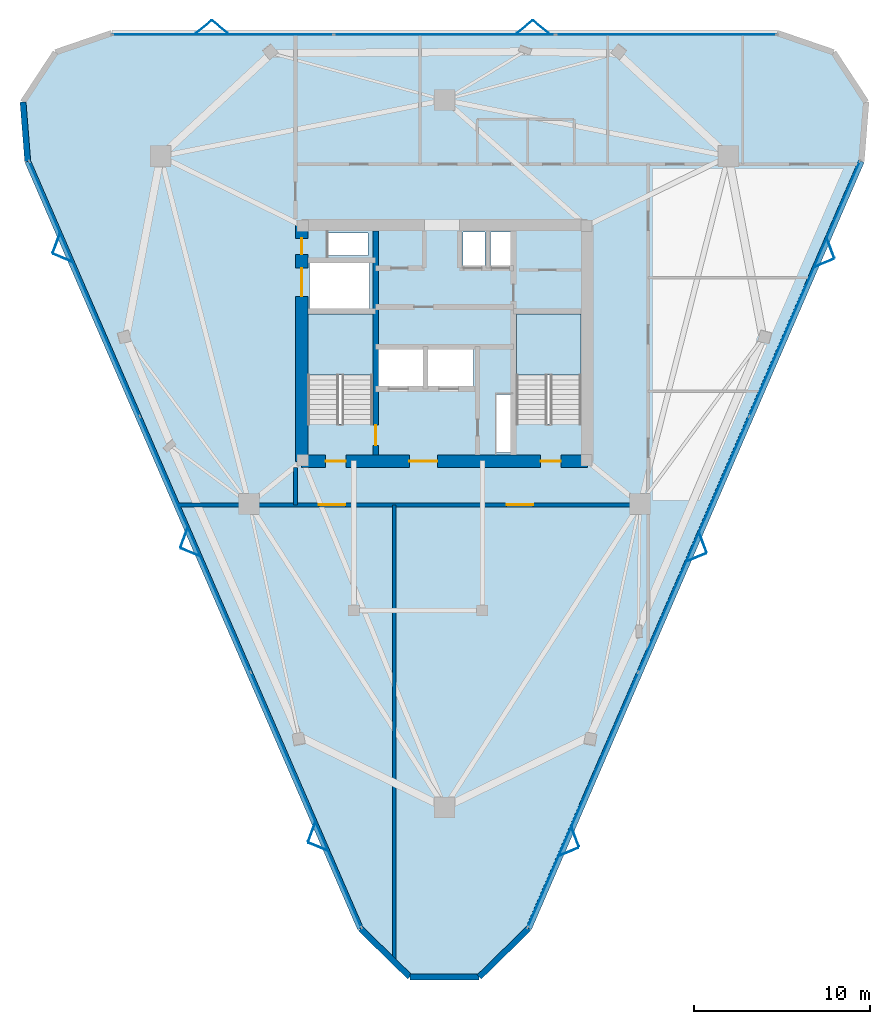
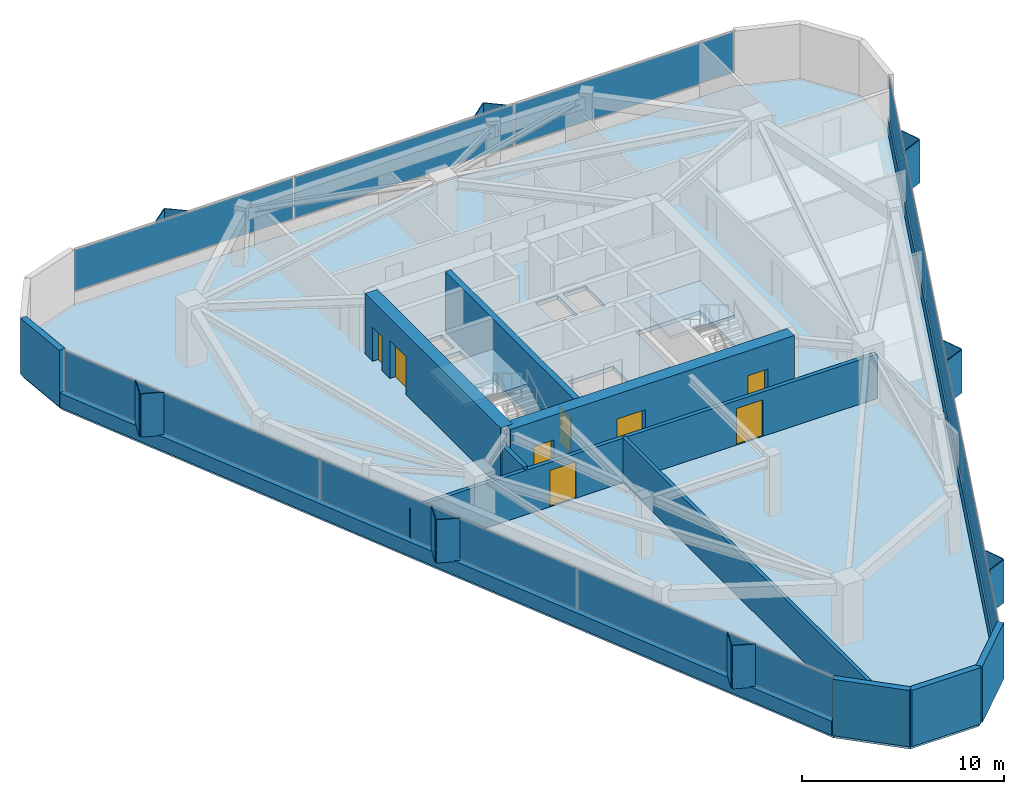
# One storey, part 8 of 11: 25 plates, 12 walls, 8 doors, 3 slabs, 8 openings, 5 elements without a shape of their own.
"""IFC4 building model written with IfcOpenShell, lengths in metres."""

from ifc_helpers import new_model, si_unit, direction, frame, frame_2d, origin, origin_2d, place, context, subcontext, project, spatial, polyline, rectangle, outline, extrude, material, layer, layer_set, type_object, element, fill, aggregate, save


model = new_model("IFC4")

# Units and contexts
model_context = context("Model", 3, precision=1e-05, world=origin(), true_north=direction((0.0, 1.0)))
body_context = subcontext(model_context, "Body", "Model", "MODEL_VIEW")
ifc_project = project(units=[si_unit("LENGTHUNIT", "METRE"), si_unit("AREAUNIT", "SQUARE_METRE"), si_unit("VOLUMEUNIT", "CUBIC_METRE"), si_unit("PLANEANGLEUNIT", "RADIAN"), si_unit("MASSUNIT", "GRAM", prefix="KILO")], contexts=[model_context])

# Site, building, storey
site_placement = place(None, origin())
site = spatial("IfcSite", under=ifc_project, at=site_placement, CompositionType="ELEMENT")
building_placement = place(site_placement, origin())
building = spatial("IfcBuilding", under=site, at=building_placement, Name="Talyreon Biosciences Tower", CompositionType="ELEMENT")
storey_placement = place(building_placement, frame((0.0, 0.0, 235.25)))
storey = spatial("IfcBuildingStorey", under=building, at=storey_placement, Name="L62", CompositionType="ELEMENT", Elevation=235.25)

# Curtain wall, plates
ifc_material_1 = material(Name="Thermally broken aluminium and low-E glazing", Category="aluminium")
ifc_layer_1 = layer(ifc_material_1, 0.175048828125)
ifc_layer_set_1 = layer_set([ifc_layer_1], Name="Thermally broken aluminium and low-E glazing")
curtain_wall_type = type_object("IfcCurtainWallType", Name="CurtainWall_Zone5CompLab", PredefinedType="NOTDEFINED", material=ifc_layer_set_1)
curtain_wall_1_placement = place(storey_placement, origin())
curtain_wall_1 = element("IfcCurtainWall", 1, at=curtain_wall_1_placement, inside=storey, type_object=curtain_wall_type, Name="L62 Unitised Curtain Wall FCW-L62-00", PredefinedType="NOTDEFINED")
ifc_material_2 = material(Name="Triple-silver low-E insulated glazing", Category="glass")
ifc_layer_2 = layer(ifc_material_2, 0.031982421875)
ifc_layer_set_2 = layer_set([ifc_layer_2], Name="Triple-silver low-E insulated glazing")
plate_type_1 = type_object("IfcPlateType", Name="CWGlazingPanel_32", PredefinedType="CURTAIN_PANEL", material=ifc_layer_set_2)
plate_1_placement = place(storey_placement, frame((58.1513671875, 42.10009765625, 0.875), z_axis=(0.0, 0.0, 1.0), x_axis=(-0.397832088162, 0.917458244079, 0.0)))
plate_1 = element("IfcPlate", 2, at=plate_1_placement, type_object=plate_type_1, Name="CW6 panel 1.1", PredefinedType="CURTAIN_PANEL", context=body_context, shape_type="SweptSolid", body=[
    extrude(rectangle(XDim=15.71240234375, YDim=0.031982421875, at=origin_2d()), origin(), (0.0, 0.0, 1.0), 2.4599609375),
])
plate_2_placement = place(storey_placement, frame((51.867919921875, 56.59033203125, 0.875), z_axis=(0.0, 0.0, 1.0), x_axis=(-0.397832088162, 0.917458244079, 0.0)))
plate_2 = element("IfcPlate", 3, at=plate_2_placement, type_object=plate_type_1, Name="CW6 panel 2.1", PredefinedType="CURTAIN_PANEL", context=body_context, shape_type="SweptSolid", body=[
    extrude(rectangle(XDim=15.7451171875, YDim=0.031982421875, at=origin_2d()), origin(), (0.0, 0.0, 1.0), 2.4599609375),
])
plate_3_placement = place(storey_placement, frame((45.584716796875, 71.080322265625, 0.875), z_axis=(0.0, 0.0, 1.0), x_axis=(-0.397832088162, 0.917458244079, 0.0)))
plate_3 = element("IfcPlate", 4, at=plate_3_placement, type_object=plate_type_1, Name="CW6 panel 3.1", PredefinedType="CURTAIN_PANEL", context=body_context, shape_type="SweptSolid", body=[
    extrude(rectangle(XDim=15.71240234375, YDim=0.031982421875, at=origin_2d()), origin(), (0.0, 0.0, 1.0), 2.4599609375),
])
aggregate(curtain_wall_1, [plate_1, plate_2, plate_3])

curtain_wall_2_placement = place(storey_placement, origin())
curtain_wall_2 = element("IfcCurtainWall", 5, at=curtain_wall_2_placement, inside=storey, type_object=curtain_wall_type, Name="L62 Unitised Curtain Wall FCW-L62-04", PredefinedType="NOTDEFINED")
plate_4_placement = place(storey_placement, frame((53.436767578125, 85.504638671875, 0.875), z_axis=(0.0, 0.0, 1.0), x_axis=(1.0, 0.0, 0.0)))
plate_4 = element("IfcPlate", 6, at=plate_4_placement, type_object=plate_type_1, Name="CW6 panel 1.1", PredefinedType="CURTAIN_PANEL", context=body_context, shape_type="SweptSolid", body=[
    extrude(rectangle(XDim=12.48193359375, YDim=0.031982421875, at=origin_2d()), origin(), (0.0, 0.0, 1.0), 2.4599609375),
])
plate_5_placement = place(storey_placement, frame((66.0, 85.504638671875, 0.875), z_axis=(0.0, 0.0, 1.0), x_axis=(1.0, 0.0, 0.0)))
plate_5 = element("IfcPlate", 7, at=plate_5_placement, type_object=plate_type_1, Name="CW6 panel 2.1", PredefinedType="CURTAIN_PANEL", context=body_context, shape_type="SweptSolid", body=[
    extrude(rectangle(XDim=12.514404296875, YDim=0.031982421875, at=origin_2d()), origin(), (0.0, 0.0, 1.0), 2.4599609375),
])
plate_6_placement = place(storey_placement, frame((78.563232421875, 85.504638671875, 0.875), z_axis=(0.0, 0.0, 1.0), x_axis=(1.0, 0.0, 0.0)))
plate_6 = element("IfcPlate", 8, at=plate_6_placement, type_object=plate_type_1, Name="CW6 panel 3.1", PredefinedType="CURTAIN_PANEL", context=body_context, shape_type="SweptSolid", body=[
    extrude(rectangle(XDim=12.48193359375, YDim=0.031982421875, at=origin_2d()), origin(), (0.0, 0.0, 1.0), 2.4599609375),
])
aggregate(curtain_wall_2, [plate_4, plate_5, plate_6])

curtain_wall_3_placement = place(storey_placement, origin())
curtain_wall_3 = element("IfcCurtainWall", 9, at=curtain_wall_3_placement, inside=storey, type_object=curtain_wall_type, Name="L62 Unitised Curtain Wall FCW-L62-08", PredefinedType="NOTDEFINED")
plate_7_placement = place(storey_placement, frame((86.415283203125, 71.080322265625, 0.875), z_axis=(0.0, 0.0, 1.0), x_axis=(-0.397832088162, -0.917458244079, 0.0)))
plate_7 = element("IfcPlate", 10, at=plate_7_placement, type_object=plate_type_1, Name="CW6 panel 1.1", PredefinedType="CURTAIN_PANEL", context=body_context, shape_type="SweptSolid", body=[
    extrude(rectangle(XDim=15.71240234375, YDim=0.031982421875, at=origin_2d()), origin(), (0.0, 0.0, 1.0), 2.4599609375),
])
plate_8_placement = place(storey_placement, frame((80.132080078125, 56.59033203125, 0.875), z_axis=(0.0, 0.0, 1.0), x_axis=(-0.397832088162, -0.917458244079, 0.0)))
plate_8 = element("IfcPlate", 11, at=plate_8_placement, type_object=plate_type_1, Name="CW6 panel 2.1", PredefinedType="CURTAIN_PANEL", context=body_context, shape_type="SweptSolid", body=[
    extrude(rectangle(XDim=15.7451171875, YDim=0.031982421875, at=origin_2d()), origin(), (0.0, 0.0, 1.0), 2.4599609375),
])
plate_9_placement = place(storey_placement, frame((73.8486328125, 42.10009765625, 0.875), z_axis=(0.0, 0.0, 1.0), x_axis=(-0.397832088162, -0.917458244079, 0.0)))
plate_9 = element("IfcPlate", 12, at=plate_9_placement, type_object=plate_type_1, Name="CW6 panel 3.1", PredefinedType="CURTAIN_PANEL", context=body_context, shape_type="SweptSolid", body=[
    extrude(rectangle(XDim=15.71240234375, YDim=0.031982421875, at=origin_2d()), origin(), (0.0, 0.0, 1.0), 2.4599609375),
])
aggregate(curtain_wall_3, [plate_7, plate_8, plate_9])

# Slab
ifc_material_3 = material(Name="Concrete C40/50", Category="concrete")
ifc_layer_3 = layer(ifc_material_3, 0.25)
ifc_layer_set_3 = layer_set([ifc_layer_3], Name="Concrete C40/50")
slab_type_1 = type_object("IfcSlabType", Name="DryLabFloorSlab_250", PredefinedType="FLOOR", material=ifc_layer_set_3)
slab_1_placement = place(storey_placement, frame((0.0, 0.0, -0.25)))
element("IfcSlab", 13, at=slab_1_placement, inside=storey, type_object=slab_type_1, Name="L62 Structural Floor Slab", PredefinedType="FLOOR", context=body_context, shape_type="SweptSolid", body=[
    extrude(outline(polyline([(61.229248046875, 34.80078125), (42.360107421875, 78.31591796875), (42.093505859375, 81.67529296875), (43.942626953125, 84.49267578125), (47.130615234375, 85.584716796875), (84.869140625, 85.584716796875), (88.057373046875, 84.49267578125), (89.906494140625, 81.67529296875), (89.639892578125, 78.31591796875), (70.770751953125, 34.80078125), (67.963623046875, 32.0546875), (64.036376953125, 32.0546875), (61.229248046875, 34.80078125)]), holes=[polyline([(69.820068359375, 65.10009765625), (69.820068359375, 61.800048828125), (68.9599609375, 61.800048828125), (68.9599609375, 65.10009765625), (69.820068359375, 65.10009765625)]), polyline([(61.929931640625, 69.64990234375), (61.929931640625, 63.407958984375), (58.25, 63.407958984375), (58.25, 69.64990234375), (61.929931640625, 69.64990234375)]), polyline([(73.75, 69.64990234375), (73.75, 63.407958984375), (70.070068359375, 63.407958984375), (70.070068359375, 69.64990234375), (73.75, 69.64990234375)]), polyline([(64.800048828125, 67.64990234375), (64.800048828125, 65.550048828125), (62.199951171875, 65.550048828125), (62.199951171875, 67.64990234375), (64.800048828125, 67.64990234375)]), polyline([(67.64990234375, 67.64990234375), (67.64990234375, 65.550048828125), (65.050048828125, 65.550048828125), (65.050048828125, 67.64990234375), (67.64990234375, 67.64990234375)]), polyline([(61.75, 72.550048828125), (61.75, 69.97998046875), (58.35009765625, 69.97998046875), (58.35009765625, 72.550048828125), (61.75, 72.550048828125)]), polyline([(68.300048828125, 74.300048828125), (68.300048828125, 72.35009765625), (67.050048828125, 72.35009765625), (67.050048828125, 74.300048828125), (68.300048828125, 74.300048828125)]), polyline([(69.919921875, 72.35009765625), (68.6201171875, 72.35009765625), (68.6201171875, 74.300048828125), (69.919921875, 74.300048828125), (69.919921875, 72.35009765625)]), polyline([(61.64990234375, 72.9599609375), (59.39990234375, 72.9599609375), (59.39990234375, 74.25), (61.64990234375, 74.25), (61.64990234375, 72.9599609375)])]), origin(), (0.0, 0.0, 1.0), 0.25),
])

# Plates
ifc_material_4 = material(Name="Ivory GFRC sunshade panel", Category="concrete")
ifc_layer_4 = layer(ifc_material_4, 0.044921875)
ifc_layer_set_4 = layer_set([ifc_layer_4], Name="Ivory GFRC sunshade panel")
plate_type_2 = type_object("IfcPlateType", Name="FoldedVSunshade_NorthFace_SUNSHADE", PredefinedType="USERDEFINED", material=ifc_layer_set_4)
for number, where, z_axis, x_axis, name in (
    (14, (52.3505859375, 85.944580078125, 0.7900390625), (0.0, 0.0, 1.0), (0.771624583388, 0.636078220278, 0.0), "L62 Folded V-Sunshade Panel 04.01L"),
    (15, (53.250732421875, 85.944580078125, 0.7900390625), (0.0, 0.0, 1.0), (0.771624583388, -0.636078220278, 0.0), "L62 Folded V-Sunshade Panel 04.01R"),
    (16, (70.55078125, 85.944580078125, 0.7900390625), (0.0, 0.0, 1.0), (0.771624583388, 0.636078220278, 0.0), "L62 Folded V-Sunshade Panel 04.02L"),
    (17, (71.45068359375, 85.944580078125, 0.7900390625), (0.0, 0.0, 1.0), (0.771624583388, -0.636078220278, 0.0), "L62 Folded V-Sunshade Panel 04.02R"),
):
    element("IfcPlate", number, at=place(storey_placement, frame(where, z_axis=z_axis, x_axis=x_axis)), inside=storey, type_object=plate_type_2, Name=name, ObjectType="SUNSHADE", PredefinedType="USERDEFINED", context=body_context, shape_type="SweptSolid", body=[
        extrude(rectangle(XDim=1.14990234375, YDim=0.044921875, at=origin_2d()), origin(), (0.0, 0.0, 1.0), 2.610107421875),
    ])
ifc_layer_5 = layer(ifc_material_4, 0.044921875)
ifc_layer_set_5 = layer_set([ifc_layer_5], Name="Ivory GFRC sunshade panel")
plate_type_3 = type_object("IfcPlateType", Name="FoldedVSunshade_SunFace_SUNSHADE", PredefinedType="USERDEFINED", material=ifc_layer_set_5)
for number, where, z_axis, x_axis, name in (
    (18, (58.822265625, 39.44677734375, 0.7900390625), (0.0, 0.0, 1.0), (-0.923498367496, 0.383602353007, 0.0), "L62 Folded V-Sunshade Panel 00.01L"),
    (19, (58.464111328125, 40.2724609375, 0.7900390625), (0.0, 0.0, 1.0), (0.351139044587, 0.936323326296, 0.0), "L62 Folded V-Sunshade Panel 00.01R"),
    (20, (51.581787109375, 56.14453125, 0.7900390625), (0.0, 0.0, 1.0), (-0.923498367496, 0.383602353007, 0.0), "L62 Folded V-Sunshade Panel 00.02L"),
    (21, (51.2236328125, 56.97021484375, 0.7900390625), (0.0, 0.0, 1.0), (0.351139044587, 0.936323326296, 0.0), "L62 Folded V-Sunshade Panel 00.02R"),
    (22, (44.341064453125, 72.84228515625, 0.7900390625), (0.0, 0.0, 1.0), (-0.923498367496, 0.383602353007, 0.0), "L62 Folded V-Sunshade Panel 00.03L"),
    (23, (43.983154296875, 73.66796875, 0.7900390625), (0.0, 0.0, 1.0), (0.351139044587, 0.936323326296, 0.0), "L62 Folded V-Sunshade Panel 00.03R"),
    (24, (87.8935546875, 73.383544921875, 0.7900390625), (0.0, 0.0, 1.0), (0.351139044587, -0.936323326296, 0.0), "L62 Folded V-Sunshade Panel 08.01L"),
    (25, (87.53564453125, 72.557861328125, 0.7900390625), (0.0, 0.0, 1.0), (-0.923498367496, -0.383602353007, 0.0), "L62 Folded V-Sunshade Panel 08.01R"),
    (26, (80.653076171875, 56.685791015625, 0.7900390625), (0.0, 0.0, 1.0), (0.351139044587, -0.936323326296, 0.0), "L62 Folded V-Sunshade Panel 08.02L"),
    (27, (80.294921875, 55.860107421875, 0.7900390625), (0.0, 0.0, 1.0), (-0.923498367496, -0.383602353007, 0.0), "L62 Folded V-Sunshade Panel 08.02R"),
    (28, (73.41259765625, 39.98828125, 0.7900390625), (0.0, 0.0, 1.0), (0.351139044587, -0.936323326296, 0.0), "L62 Folded V-Sunshade Panel 08.03L"),
    (29, (73.054443359375, 39.16259765625, 0.7900390625), (0.0, 0.0, 1.0), (-0.923498367496, -0.383602353007, 0.0), "L62 Folded V-Sunshade Panel 08.03R"),
):
    element("IfcPlate", number, at=place(storey_placement, frame(where, z_axis=z_axis, x_axis=x_axis)), inside=storey, type_object=plate_type_3, Name=name, ObjectType="SUNSHADE", PredefinedType="USERDEFINED", context=body_context, shape_type="SweptSolid", body=[
        extrude(rectangle(XDim=1.14990234375, YDim=0.044921875, at=origin_2d()), origin(), (0.0, 0.0, 1.0), 2.610107421875),
    ])

# Stair, slab
stair_type = type_object("IfcStairType", Name="DoglegEscapeStair_3650", PredefinedType="HALF_TURN_STAIR", material=ifc_material_3)
stair_1_placement = place(storey_placement, origin())
stair_1 = element("IfcStair", 30, at=stair_1_placement, inside=storey, type_object=stair_type, Name="L62 Core Escape Stair 1", PredefinedType="HALF_TURN_STAIR")
ifc_layer_6 = layer(ifc_material_3, 0.199951171875)
ifc_layer_set_6 = layer_set([ifc_layer_6], Name="Concrete C40/50")
slab_type_2 = type_object("IfcSlabType", Name="StairLandingSlab_200", PredefinedType="LANDING", material=ifc_layer_set_6)
slab_2_placement = place(storey_placement, frame((0.0, 0.0, 1.625)))
slab_2 = element("IfcSlab", 31, at=slab_2_placement, type_object=slab_type_2, Name="ST-1 landing 1", PredefinedType="LANDING", context=body_context, shape_type="SweptSolid", body=[
    extrude(outline(polyline([(61.929931640625, 66.199951171875), (61.929931640625, 69.64990234375), (58.25, 69.64990234375), (58.25, 66.199951171875), (61.929931640625, 66.199951171875)])), origin(), (0.0, 0.0, 1.0), 0.199951171875),
])
aggregate(stair_1, [slab_2])

stair_2_placement = place(storey_placement, origin())
stair_2 = element("IfcStair", 32, at=stair_2_placement, inside=storey, type_object=stair_type, Name="L62 Core Escape Stair 2", PredefinedType="HALF_TURN_STAIR")
slab_3_placement = place(storey_placement, frame((0.0, 0.0, 1.625)))
slab_3 = element("IfcSlab", 33, at=slab_3_placement, type_object=slab_type_2, Name="ST-2 landing 1", PredefinedType="LANDING", context=body_context, shape_type="SweptSolid", body=[
    extrude(outline(polyline([(73.75, 66.199951171875), (73.75, 69.64990234375), (70.070068359375, 69.64990234375), (70.070068359375, 66.199951171875), (73.75, 66.199951171875)])), origin(), (0.0, 0.0, 1.0), 0.199951171875),
])
aggregate(stair_2, [slab_3])

# Wall
ifc_material_5 = material(Name="Gypsum fireboard acoustic stud", Category="gypsum")
ifc_layer_7 = layer(ifc_material_5, 0.199951171875)
ifc_layer_set_7 = layer_set([ifc_layer_7], Name="Gypsum fireboard acoustic stud")
wall_type_1 = type_object("IfcWallType", Name="ChemControlPartition_200", PredefinedType="PARTITIONING", material=ifc_layer_set_7)
wall_1_placement = place(storey_placement, frame((63.156005859375, 33.034912109375, 0.0), z_axis=(0.0, 0.0, 1.0), x_axis=(0.0, 1.0, 0.0)))
element("IfcWall", 34, at=wall_1_placement, inside=storey, type_object=wall_type_1, Name="L62 Interior Wall IW-L62-SDIV1", PredefinedType="PARTITIONING", context=body_context, shape_type="SweptSolid", body=[
    extrude(rectangle(XDim=25.795166015625, YDim=0.199951171875, at=frame_2d((12.8974609375, 0.0))), origin(), (0.0, 0.0, 1.0), 2.679931640625),
])

# Wall, opening, door
ifc_material_6 = material(Name="Concrete C50/60", Category="concrete")
ifc_layer_8 = layer(ifc_material_6, 0.320068359375)
ifc_layer_set_8 = layer_set([ifc_layer_8], Name="Concrete C50/60")
wall_type_2 = type_object("IfcWallType", Name="CoreShearWall_320", PredefinedType="SHEAR", material=ifc_layer_set_8)
wall_2_placement = place(storey_placement, frame((62.090087890625, 61.64990234375, 0.0), z_axis=(0.0, 0.0, 1.0), x_axis=(0.0, 1.0, 0.0)))
wall_2 = element("IfcWall", 35, at=wall_2_placement, inside=storey, type_object=wall_type_2, Name="L62 Core Shaft Wall SW1E", PredefinedType="SHEAR", context=body_context, shape_type="SweptSolid", body=[
    extrude(rectangle(XDim=12.7001953125, YDim=0.320068359375, at=frame_2d((6.35009765625, 0.0))), origin(), (0.0, 0.0, 1.0), 3.64990234375),
])
opening_1_placement = place(wall_2_placement, frame((0.550048828125, 0.0, 0.0)))
opening_1 = element("IfcOpeningElement", 36, at=opening_1_placement, cuts=wall_2, Name="Opening DR-L62-FF-ST1", PredefinedType="OPENING", context=body_context, shape_type="SweptSolid", body=[
    extrude(rectangle(XDim=1.14990234375, YDim=2.14990234375, at=frame_2d((0.574951171875, 1.074951171875))), frame((0.0, 0.169921875, 0.0), z_axis=(0.0, -1.0, 0.0), x_axis=(1.0, 0.0, 0.0)), (0.0, 0.0, 1.0), 0.340087890625),
])
ifc_material_7 = material(Name="Painted steel fire door", Category="steel")
door_type_1 = type_object("IfcDoorType", Name="StairShaftFireDoor_1150x2150", OperationType="NOTDEFINED", PredefinedType="DOOR", material=ifc_material_7)
door_1_placement = place(opening_1_placement, origin())
door_1 = element("IfcDoor", 37, at=door_1_placement, inside=storey, type_object=door_type_1, Name="L62 Core Door DR-L62-FF-ST1", OperationType="SINGLE_SWING_LEFT", OverallHeight=2.14990234375, OverallWidth=1.14990234375, PredefinedType="DOOR", context=body_context, shape_type="SweptSolid", body=[
    extrude(rectangle(XDim=1.14990234375, YDim=2.14990234375, at=frame_2d((0.574951171875, 1.074951171875))), frame((0.0, 0.02490234375, 0.0), z_axis=(0.0, -1.0, 0.0), x_axis=(1.0, 0.0, 0.0)), (0.0, 0.0, 1.0), 0.050048828125),
])
fill(opening_1, door_1)

# Wall, openings, doors
ifc_layer_9 = layer(ifc_material_6, 0.699951171875)
ifc_layer_set_9 = layer_set([ifc_layer_9], Name="Concrete C50/60")
wall_type_3 = type_object("IfcWallType", Name="CoreShearWall_700", PredefinedType="SHEAR", material=ifc_layer_set_9)
wall_3_placement = place(storey_placement, frame((57.89990234375, 61.300048828125, 0.0), z_axis=(0.0, 0.0, 1.0), x_axis=(1.0, 0.0, 0.0)))
wall_3 = element("IfcWall", 38, at=wall_3_placement, inside=storey, type_object=wall_type_3, Name="L62 Core Shear Wall S", PredefinedType="SHEAR", context=body_context, shape_type="SweptSolid", body=[
    extrude(rectangle(XDim=16.2001953125, YDim=0.699951171875, at=frame_2d((8.10009765625, 0.0))), origin(), (0.0, 0.0, 1.0), 3.64990234375),
])
opening_2_placement = place(wall_3_placement, frame((1.35009765625, 0.0, 0.0)))
opening_2 = element("IfcOpeningElement", 39, at=opening_2_placement, cuts=wall_3, Name="Opening DR-L62-ST1", PredefinedType="OPENING", context=body_context, shape_type="SweptSolid", body=[
    extrude(rectangle(XDim=1.14990234375, YDim=2.14990234375, at=frame_2d((0.574951171875, 1.074951171875))), frame((0.0, 0.35986328125, 0.0), z_axis=(0.0, -1.0, 0.0), x_axis=(1.0, 0.0, 0.0)), (0.0, 0.0, 1.0), 0.719970703125),
])
opening_3_placement = place(wall_3_placement, frame((6.10009765625, 0.0, 0.0)))
opening_3 = element("IfcOpeningElement", 40, at=opening_3_placement, cuts=wall_3, Name="Opening DR-L62-FFL", PredefinedType="OPENING", context=body_context, shape_type="SweptSolid", body=[
    extrude(rectangle(XDim=1.60009765625, YDim=2.14990234375, at=frame_2d((0.800048828125, 1.074951171875))), frame((0.0, 0.35986328125, 0.0), z_axis=(0.0, -1.0, 0.0), x_axis=(1.0, 0.0, 0.0)), (0.0, 0.0, 1.0), 0.719970703125),
])
opening_4_placement = place(wall_3_placement, frame((13.550048828125, 0.0, 0.0)))
opening_4 = element("IfcOpeningElement", 41, at=opening_4_placement, cuts=wall_3, Name="Opening DR-L62-ST2", PredefinedType="OPENING", context=body_context, shape_type="SweptSolid", body=[
    extrude(rectangle(XDim=1.14990234375, YDim=2.14990234375, at=frame_2d((0.574951171875, 1.074951171875))), frame((0.0, 0.35986328125, 0.0), z_axis=(0.0, -1.0, 0.0), x_axis=(1.0, 0.0, 0.0)), (0.0, 0.0, 1.0), 0.719970703125),
])
ifc_material_8 = material(Name="Painted steel smoke-seal fire door", Category="steel")
door_type_2 = type_object("IfcDoorType", Name="FirefightingLobbyDoubleDoor_1600x2150", OperationType="DOUBLE_DOOR_SINGLE_SWING", PredefinedType="DOOR", material=ifc_material_8)
door_2_placement = place(opening_3_placement, origin())
door_2 = element("IfcDoor", 42, at=door_2_placement, inside=storey, type_object=door_type_2, Name="L62 Core Door DR-L62-FFL", OperationType="DOUBLE_DOOR_SINGLE_SWING", OverallHeight=2.14990234375, OverallWidth=1.60009765625, PredefinedType="DOOR", context=body_context, shape_type="SweptSolid", body=[
    extrude(rectangle(XDim=1.60009765625, YDim=2.14990234375, at=frame_2d((0.800048828125, 1.074951171875))), frame((0.0, 0.02490234375, 0.0), z_axis=(0.0, -1.0, 0.0), x_axis=(1.0, 0.0, 0.0)), (0.0, 0.0, 1.0), 0.050048828125),
])
fill(opening_3, door_2)
door_3_placement = place(opening_2_placement, origin())
door_3 = element("IfcDoor", 43, at=door_3_placement, inside=storey, type_object=door_type_1, Name="L62 Core Door DR-L62-ST1", OperationType="SINGLE_SWING_LEFT", OverallHeight=2.14990234375, OverallWidth=1.14990234375, PredefinedType="DOOR", context=body_context, shape_type="SweptSolid", body=[
    extrude(rectangle(XDim=1.14990234375, YDim=2.14990234375, at=frame_2d((0.574951171875, 1.074951171875))), frame((0.0, 0.02490234375, 0.0), z_axis=(0.0, -1.0, 0.0), x_axis=(1.0, 0.0, 0.0)), (0.0, 0.0, 1.0), 0.050048828125),
])
fill(opening_2, door_3)
door_4_placement = place(opening_4_placement, origin())
door_4 = element("IfcDoor", 44, at=door_4_placement, inside=storey, type_object=door_type_1, Name="L62 Core Door DR-L62-ST2", OperationType="SINGLE_SWING_RIGHT", OverallHeight=2.14990234375, OverallWidth=1.14990234375, PredefinedType="DOOR", context=body_context, shape_type="SweptSolid", body=[
    extrude(rectangle(XDim=1.14990234375, YDim=2.14990234375, at=frame_2d((0.574951171875, 1.074951171875))), frame((0.0, 0.02490234375, 0.0), z_axis=(0.0, -1.0, 0.0), x_axis=(1.0, 0.0, 0.0)), (0.0, 0.0, 1.0), 0.050048828125),
])
fill(opening_4, door_4)

wall_4_placement = place(storey_placement, frame((57.89990234375, 74.699951171875, 0.0), z_axis=(0.0, 0.0, 1.0), x_axis=(0.0, -1.0, 0.0)))
wall_4 = element("IfcWall", 45, at=wall_4_placement, inside=storey, type_object=wall_type_3, Name="L62 Core Shear Wall W", PredefinedType="SHEAR", context=body_context, shape_type="SweptSolid", body=[
    extrude(rectangle(XDim=13.39990234375, YDim=0.699951171875, at=frame_2d((6.699951171875, 0.0))), origin(), (0.0, 0.0, 1.0), 3.64990234375),
])
opening_5_placement = place(wall_4_placement, frame((0.75, 0.0, 0.0)))
opening_5 = element("IfcOpeningElement", 46, at=opening_5_placement, cuts=wall_4, Name="Opening DR-L62-RSW", PredefinedType="OPENING", context=body_context, shape_type="SweptSolid", body=[
    extrude(rectangle(XDim=0.919921875, YDim=2.050048828125, at=frame_2d((0.4599609375, 1.02490234375))), frame((0.0, 0.35986328125, 0.0), z_axis=(0.0, -1.0, 0.0), x_axis=(1.0, 0.0, 0.0)), (0.0, 0.0, 1.0), 0.719970703125),
])
opening_6_placement = place(wall_4_placement, frame((2.449951171875, 0.0, 0.0)))
opening_6 = element("IfcOpeningElement", 47, at=opening_6_placement, cuts=wall_4, Name="Opening LD-L62-GL1", PredefinedType="OPENING", context=body_context, shape_type="SweptSolid", body=[
    extrude(rectangle(XDim=1.60009765625, YDim=2.300048828125, at=frame_2d((0.800048828125, 1.14990234375))), frame((0.0, 0.35986328125, 0.0), z_axis=(0.0, -1.0, 0.0), x_axis=(1.0, 0.0, 0.0)), (0.0, 0.0, 1.0), 0.719970703125),
])
ifc_material_9 = material(Name="Heavy-duty stainless-steel goods lift door", Category="steel")
door_type_3 = type_object("IfcDoorType", Name="GoodsLiftSlidingDoor_1600x2300", OperationType="DOUBLE_DOOR_SLIDING", PredefinedType="DOOR", material=ifc_material_9)
door_5_placement = place(opening_6_placement, origin())
door_5 = element("IfcDoor", 48, at=door_5_placement, inside=storey, type_object=door_type_3, Name="L62 Core Door LD-L62-GL1", OperationType="DOUBLE_DOOR_SLIDING", OverallHeight=2.300048828125, OverallWidth=1.60009765625, PredefinedType="DOOR", context=body_context, shape_type="SweptSolid", body=[
    extrude(rectangle(XDim=1.60009765625, YDim=2.300048828125, at=frame_2d((0.800048828125, 1.14990234375))), frame((0.0, 0.02490234375, 0.0), z_axis=(0.0, -1.0, 0.0), x_axis=(1.0, 0.0, 0.0)), (0.0, 0.0, 1.0), 0.050048828125),
])
fill(opening_6, door_5)
ifc_material_10 = material(Name="Painted steel fire-rated riser door", Category="steel")
door_type_4 = type_object("IfcDoorType", Name="RiserPlantAccessDoor_920x2050", OperationType="NOTDEFINED", PredefinedType="DOOR", material=ifc_material_10)
door_6_placement = place(opening_5_placement, origin())
door_6 = element("IfcDoor", 49, at=door_6_placement, inside=storey, type_object=door_type_4, Name="L62 Core Door DR-L62-RSW", OperationType="SINGLE_SWING_LEFT", OverallHeight=2.050048828125, OverallWidth=0.919921875, PredefinedType="DOOR", context=body_context, shape_type="SweptSolid", body=[
    extrude(rectangle(XDim=0.919921875, YDim=2.050048828125, at=frame_2d((0.4599609375, 1.02490234375))), frame((0.0, 0.02490234375, 0.0), z_axis=(0.0, -1.0, 0.0), x_axis=(1.0, 0.0, 0.0)), (0.0, 0.0, 1.0), 0.050048828125),
])
fill(opening_5, door_6)

ifc_layer_10 = layer(ifc_material_5, 0.219970703125)
ifc_layer_set_10 = layer_set([ifc_layer_10], Name="Gypsum fireboard acoustic stud")
wall_type_4 = type_object("IfcWallType", Name="CorridorRatedPartition_220", PredefinedType="PARTITIONING", material=ifc_layer_set_10)
wall_5_placement = place(storey_placement, frame((50.902099609375, 58.830078125, 0.0), z_axis=(0.0, 0.0, 1.0), x_axis=(1.0, 0.0, 0.0)))
wall_5 = element("IfcWall", 50, at=wall_5_placement, inside=storey, type_object=wall_type_4, Name="L62 Interior Wall IW-L62-COR-S", PredefinedType="PARTITIONING", context=body_context, shape_type="SweptSolid", body=[
    extrude(rectangle(XDim=26.64794921875, YDim=0.219970703125, at=frame_2d((13.323974609375, 0.0))), origin(), (0.0, 0.0, 1.0), 2.679931640625),
])
opening_7_placement = place(wall_5_placement, frame((7.968017578125, 0.0, 0.0)))
opening_7 = element("IfcOpeningElement", 51, at=opening_7_placement, cuts=wall_5, Name="Opening DR-L62-S1A", PredefinedType="OPENING", context=body_context, shape_type="SweptSolid", body=[
    extrude(rectangle(XDim=1.5, YDim=2.199951171875, at=frame_2d((0.75, 1.10009765625))), frame((0.0, 0.119873046875, 0.0), z_axis=(0.0, -1.0, 0.0), x_axis=(1.0, 0.0, 0.0)), (0.0, 0.0, 1.0), 0.239990234375),
])
opening_8_placement = place(wall_5_placement, frame((18.6259765625, 0.0, 0.0)))
opening_8 = element("IfcOpeningElement", 52, at=opening_8_placement, cuts=wall_5, Name="Opening DR-L62-S2A", PredefinedType="OPENING", context=body_context, shape_type="SweptSolid", body=[
    extrude(rectangle(XDim=1.5, YDim=2.199951171875, at=frame_2d((0.75, 1.10009765625))), frame((0.0, 0.119873046875, 0.0), z_axis=(0.0, -1.0, 0.0), x_axis=(1.0, 0.0, 0.0)), (0.0, 0.0, 1.0), 0.239990234375),
])
ifc_material_11 = material(Name="Vision-panel steel laboratory fire door", Category="steel")
door_type_5 = type_object("IfcDoorType", Name="WetLabDoubleLeafDoor_1500x2200", OperationType="DOUBLE_DOOR_SINGLE_SWING", PredefinedType="DOOR", material=ifc_material_11)
door_7_placement = place(opening_7_placement, origin())
door_7 = element("IfcDoor", 53, at=door_7_placement, inside=storey, type_object=door_type_5, Name="L62 Interior Door DR-L62-S1A", OperationType="DOUBLE_DOOR_SINGLE_SWING", OverallHeight=2.199951171875, OverallWidth=1.5, PredefinedType="DOOR", context=body_context, shape_type="SweptSolid", body=[
    extrude(rectangle(XDim=1.5, YDim=2.199951171875, at=frame_2d((0.75, 1.10009765625))), frame((0.0, 0.02490234375, 0.0), z_axis=(0.0, -1.0, 0.0), x_axis=(1.0, 0.0, 0.0)), (0.0, 0.0, 1.0), 0.050048828125),
])
fill(opening_7, door_7)
door_8_placement = place(opening_8_placement, origin())
door_8 = element("IfcDoor", 54, at=door_8_placement, inside=storey, type_object=door_type_5, Name="L62 Interior Door DR-L62-S2A", OperationType="DOUBLE_DOOR_SINGLE_SWING", OverallHeight=2.199951171875, OverallWidth=1.5, PredefinedType="DOOR", context=body_context, shape_type="SweptSolid", body=[
    extrude(rectangle(XDim=1.5, YDim=2.199951171875, at=frame_2d((0.75, 1.10009765625))), frame((0.0, 0.02490234375, 0.0), z_axis=(0.0, -1.0, 0.0), x_axis=(1.0, 0.0, 0.0)), (0.0, 0.0, 1.0), 0.050048828125),
])
fill(opening_8, door_8)

# Walls
wall_6_placement = place(storey_placement, frame((57.550048828125, 58.830078125, 0.0), z_axis=(0.0, 0.0, 1.0), x_axis=(0.0, 1.0, 0.0)))
element("IfcWall", 55, at=wall_6_placement, inside=storey, type_object=wall_type_4, Name="L62 Interior Wall IW-L62-WCAP-S", PredefinedType="PARTITIONING", context=body_context, shape_type="SweptSolid", body=[
    extrude(rectangle(XDim=2.119873046875, YDim=0.219970703125, at=frame_2d((1.06005859375, 0.0))), origin(), (0.0, 0.0, 1.0), 2.830078125),
])
ifc_material_12 = material(Name="Precast concrete C45/55", Category="concrete")
ifc_layer_11 = layer(ifc_material_12, 0.340087890625)
ifc_layer_set_11 = layer_set([ifc_layer_11], Name="Precast concrete C45/55")
wall_type_5 = type_object("IfcWallType", Name="PrecastConcreteSpandrelWall_340", PredefinedType="STANDARD", material=ifc_layer_set_11)
wall_7_placement = place(storey_placement, frame((61.229248046875, 34.80078125, 0.0), z_axis=(0.0, 0.0, 1.0), x_axis=(-0.397830751874, 0.917458823525, 0.0)))
element("IfcWall", 56, at=wall_7_placement, inside=storey, type_object=wall_type_5, Name="L62 Expressed Concrete Sill Wall 00", PredefinedType="STANDARD", context=body_context, shape_type="SweptSolid", body=[
    extrude(rectangle(XDim=47.43017578125, YDim=0.340087890625, at=frame_2d((23.715087890625, 0.0))), origin(), (0.0, 0.0, 1.0), 0.85009765625),
])
wall_8_placement = place(storey_placement, frame((42.360107421875, 78.31591796875, 0.0), z_axis=(0.0, 0.0, 1.0), x_axis=(-0.079111730003, 0.996865755343, 0.0)))
element("IfcWall", 57, at=wall_8_placement, inside=storey, type_object=wall_type_5, Name="L62 Rounded-Corner Concrete Pier 01", PredefinedType="STANDARD", context=body_context, shape_type="SweptSolid", body=[
    extrude(rectangle(XDim=3.369873046875, YDim=0.340087890625, at=frame_2d((1.68505859375, 0.0))), origin(), (0.0, 0.0, 1.0), 3.39990234375),
])
wall_9_placement = place(storey_placement, frame((89.639892578125, 78.31591796875, 0.0), z_axis=(0.0, 0.0, 1.0), x_axis=(-0.397830751874, -0.917458823525, 0.0)))
element("IfcWall", 58, at=wall_9_placement, inside=storey, type_object=wall_type_5, Name="L62 Expressed Concrete Sill Wall 08", PredefinedType="STANDARD", context=body_context, shape_type="SweptSolid", body=[
    extrude(rectangle(XDim=47.43017578125, YDim=0.340087890625, at=frame_2d((23.715087890625, 0.0))), origin(), (0.0, 0.0, 1.0), 0.85009765625),
])
wall_10_placement = place(storey_placement, frame((70.770751953125, 34.80078125, 0.0), z_axis=(0.0, 0.0, 1.0), x_axis=(-0.714835376788, -0.699292774231, 0.0)))
element("IfcWall", 59, at=wall_10_placement, inside=storey, type_object=wall_type_5, Name="L62 Rounded-Corner Concrete Pier 09", PredefinedType="STANDARD", context=body_context, shape_type="SweptSolid", body=[
    extrude(rectangle(XDim=3.927001953125, YDim=0.340087890625, at=frame_2d((1.96337890625, 0.0))), origin(), (0.0, 0.0, 1.0), 3.39990234375),
])
wall_11_placement = place(storey_placement, frame((67.963623046875, 32.0546875, 0.0), z_axis=(0.0, 0.0, 1.0), x_axis=(-1.0, 0.0, 0.0)))
element("IfcWall", 60, at=wall_11_placement, inside=storey, type_object=wall_type_5, Name="L62 Rounded-Corner Concrete Pier 10", PredefinedType="STANDARD", context=body_context, shape_type="SweptSolid", body=[
    extrude(rectangle(XDim=3.92724609375, YDim=0.340087890625, at=frame_2d((1.963623046875, 0.0))), origin(), (0.0, 0.0, 1.0), 3.39990234375),
])
wall_12_placement = place(storey_placement, frame((64.036376953125, 32.0546875, 0.0), z_axis=(0.0, 0.0, 1.0), x_axis=(-0.714835376788, 0.699292774231, 0.0)))
element("IfcWall", 61, at=wall_12_placement, inside=storey, type_object=wall_type_5, Name="L62 Rounded-Corner Concrete Pier 11", PredefinedType="STANDARD", context=body_context, shape_type="SweptSolid", body=[
    extrude(rectangle(XDim=3.927001953125, YDim=0.340087890625, at=frame_2d((1.96337890625, 0.0))), origin(), (0.0, 0.0, 1.0), 3.39990234375),
])

save(model, "model.ifc")
